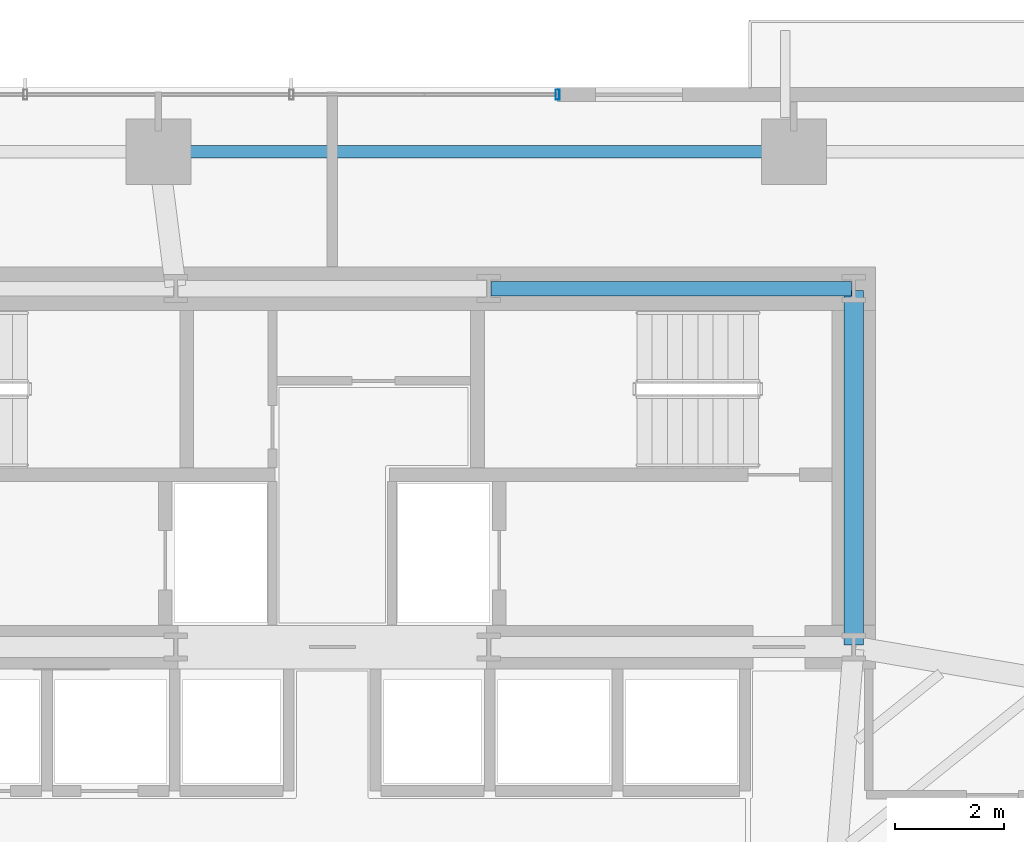
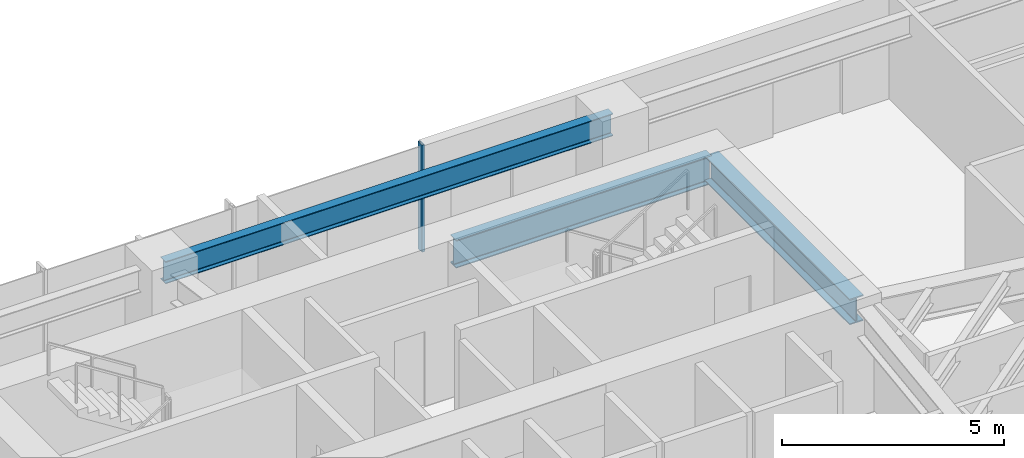
# One storey, part 15 of 25: 3 beams, 1 member, 1 element without a shape of its own.
"""IFC4 building model written with IfcOpenShell, lengths in metres."""

from ifc_helpers import new_model, si_unit, direction, frame, origin, origin_2d, place, context, subcontext, project, spatial, hollow_rectangle, i_section, extrude, source, transform, mapped, material, material_profile, profile_set, type_object, type_shapes, element, aggregate, save


model = new_model("IFC4")

# Units and contexts
model_context = context("Model", 3, precision=1e-05, world=origin(), true_north=direction((0.0, 1.0)))
body_context = subcontext(model_context, "Body", "Model", "MODEL_VIEW")
ifc_project = project(units=[si_unit("LENGTHUNIT", "METRE"), si_unit("AREAUNIT", "SQUARE_METRE"), si_unit("VOLUMEUNIT", "CUBIC_METRE"), si_unit("PLANEANGLEUNIT", "RADIAN"), si_unit("MASSUNIT", "GRAM", prefix="KILO")], contexts=[model_context])

# Site, building, storey
site_placement = place(None, origin())
site = spatial("IfcSite", under=ifc_project, at=site_placement, CompositionType="ELEMENT")
building_placement = place(site_placement, origin())
building = spatial("IfcBuilding", under=site, at=building_placement, Name="Astriad Promenade Condominiums", CompositionType="ELEMENT")
storey_placement = place(building_placement, frame((0.0, 0.0, 48.60009765625)))
storey = spatial("IfcBuildingStorey", under=building, at=storey_placement, Name="L13", CompositionType="ELEMENT", Elevation=48.60009765625)

# Beams
ifc_material_1 = material(Name="Steel ASTM A992 Grade 50", Category="steel")
ifc_material_profile_1 = material_profile(ifc_material_1, i_section(OverallWidth=0.267822265625, OverallDepth=0.76953125, WebThickness=0.015625, FlangeThickness=0.025390625, FilletRadius=0.021484375, at=origin_2d()), Name="W30X132")
ifc_profile_set_1 = profile_set([ifc_material_profile_1], Name="Steel ASTM A992 Grade 50")
beam_type_1 = type_object("IfcBeamType", Name="STEEL FLOOR GIRDER W30X132", PredefinedType="BEAM", material=ifc_profile_set_1)
shared_shape_1 = source(origin(), body_context, "Body", "SweptSolid", [
    extrude(i_section(OverallWidth=0.267822265625, OverallDepth=0.76953125, WebThickness=0.015625, FlangeThickness=0.025390625, FilletRadius=0.021484375, at=origin_2d()), origin(), (0.0, 0.0, 1.0), 6.64013671875),
])
type_shapes(beam_type_1, [shared_shape_1])
beam_1_placement = place(storey_placement, frame((38.919921875, 24.0, 2.55517578125), z_axis=(1.0, 0.0, 0.0), x_axis=(0.0, 1.0, 0.0)))
element("IfcBeam", 1, at=beam_1_placement, inside=storey, type_object=beam_type_1, Name="Core Ring Beam CG-N3-L13", PredefinedType="BEAM", context=body_context, shape_type="MappedRepresentation", body=[
    mapped(shared_shape_1, transform((0.0, 0.0, 0.0), scale=1.0)),
])
ifc_material_profile_2 = material_profile(ifc_material_1, i_section(OverallWidth=0.35791015625, OverallDepth=0.706298828125, WebThickness=0.018310546875, FlangeThickness=0.0302734375, FilletRadius=0.020263671875, at=origin_2d()), Name="W27X178")
ifc_profile_set_2 = profile_set([ifc_material_profile_2], Name="Steel ASTM A992 Grade 50")
beam_type_2 = type_object("IfcBeamType", Name="STEEL FLOOR GIRDER W27X178", PredefinedType="BEAM", material=ifc_profile_set_2)
shared_shape_2 = source(origin(), body_context, "Body", "SweptSolid", [
    extrude(i_section(OverallWidth=0.35791015625, OverallDepth=0.706298828125, WebThickness=0.018310546875, FlangeThickness=0.0302734375, FilletRadius=0.020263671875, at=origin_2d()), origin(), (0.0, 0.0, 1.0), 6.52001953125),
])
type_shapes(beam_type_2, [shared_shape_2])
beam_2_placement = place(storey_placement, frame((45.60009765625, 17.43994140625, 2.586669921875), z_axis=(0.0, 1.0, 0.0), x_axis=(-1.0, 0.0, 0.0)))
element("IfcBeam", 2, at=beam_2_placement, inside=storey, type_object=beam_type_2, Name="Core Ring Beam CG-E1-L13", PredefinedType="BEAM", context=body_context, shape_type="MappedRepresentation", body=[
    mapped(shared_shape_2, transform((0.0, 0.0, 0.0), scale=1.0)),
])
ifc_material_profile_3 = material_profile(ifc_material_1, i_section(OverallWidth=0.22900390625, OverallDepth=0.612060546875, WebThickness=0.011962890625, FlangeThickness=0.01953125, FilletRadius=0.017822265625, at=origin_2d()), Name="W24X84")
ifc_profile_set_3 = profile_set([ifc_material_profile_3], Name="Steel ASTM A992 Grade 50")
beam_type_3 = type_object("IfcBeamType", Name="STEEL SPANDREL BEAM W24X84", PredefinedType="SPANDREL", material=ifc_profile_set_3)
shared_shape_3 = source(origin(), body_context, "Body", "SweptSolid", [
    extrude(i_section(OverallWidth=0.22900390625, OverallDepth=0.612060546875, WebThickness=0.011962890625, FlangeThickness=0.01953125, FilletRadius=0.017822265625, at=origin_2d()), origin(), (0.0, 0.0, 1.0), 11.619873046875),
])
type_shapes(beam_type_3, [shared_shape_3])
beam_3_placement = place(storey_placement, frame((44.4599609375, 26.52001953125, 2.6337890625), z_axis=(-1.0, 0.0, 0.0), x_axis=(0.0, -1.0, 0.0)))
element("IfcBeam", 3, at=beam_3_placement, inside=storey, type_object=beam_type_3, Name="Perimeter Spandrel Beam SP-N3-L13", PredefinedType="SPANDREL", context=body_context, shape_type="MappedRepresentation", body=[
    mapped(shared_shape_3, transform((0.0, 0.0, 0.0), scale=1.0)),
])

# Curtain wall, member
ifc_material_2 = material(Name="Anodised aluminium Black Dark Glass Unitised", Category="aluminium")
curtain_wall_type = type_object("IfcCurtainWallType", Name="CW-B1-DARK", PredefinedType="USERDEFINED", material=ifc_material_2)
curtain_wall_placement = place(storey_placement, origin())
curtain_wall = element("IfcCurtainWall", 4, at=curtain_wall_placement, inside=storey, type_object=curtain_wall_type, Name="CW-L13-N", ObjectType="UNITISED_CURTAIN_WALL", PredefinedType="USERDEFINED")
ifc_material_3 = material(Name="Anodised aluminium 6063-T6 Black", Category="aluminium")
ifc_material_profile_4 = material_profile(ifc_material_3, hollow_rectangle(XDim=0.074951171875, YDim=0.18505859375, WallThickness=0.00439453125, at=origin_2d()), Name="ALU-MUL-75X185")
ifc_profile_set_4 = profile_set([ifc_material_profile_4], Name="Anodised aluminium 6063-T6 Black")
member_type = type_object("IfcMemberType", Name="MUL-ALU-MUL-75X185", PredefinedType="MULLION", material=ifc_profile_set_4)
shared_shape_4 = source(origin(), body_context, "Body", "SweptSolid", [
    extrude(hollow_rectangle(XDim=0.074951171875, YDim=0.18505859375, WallThickness=0.00439453125, at=origin_2d()), origin(), (0.0, 0.0, 1.0), 2.93994140625),
])
type_shapes(member_type, [shared_shape_4])
member_placement = place(storey_placement, frame((40.14990234375, 27.570068359375, 0.0), z_axis=(0.0, 0.0, 1.0), x_axis=(1.0, 0.0, 0.0)))
member = element("IfcMember", 5, at=member_placement, type_object=member_type, Name="CW-L13-N-MUL-03", PredefinedType="MULLION", context=body_context, shape_type="MappedRepresentation", body=[
    mapped(shared_shape_4, transform((0.0, 0.0, 0.0), scale=1.0)),
])
aggregate(curtain_wall, [member])

save(model, "model.ifc")
